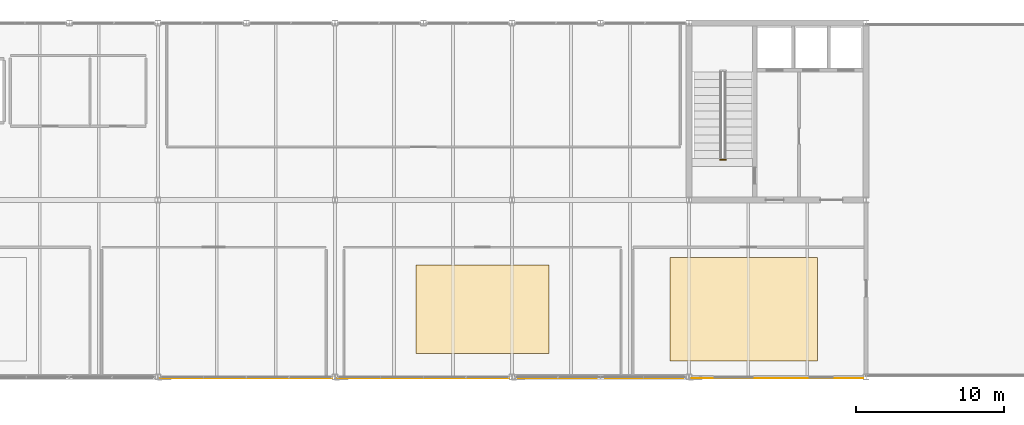
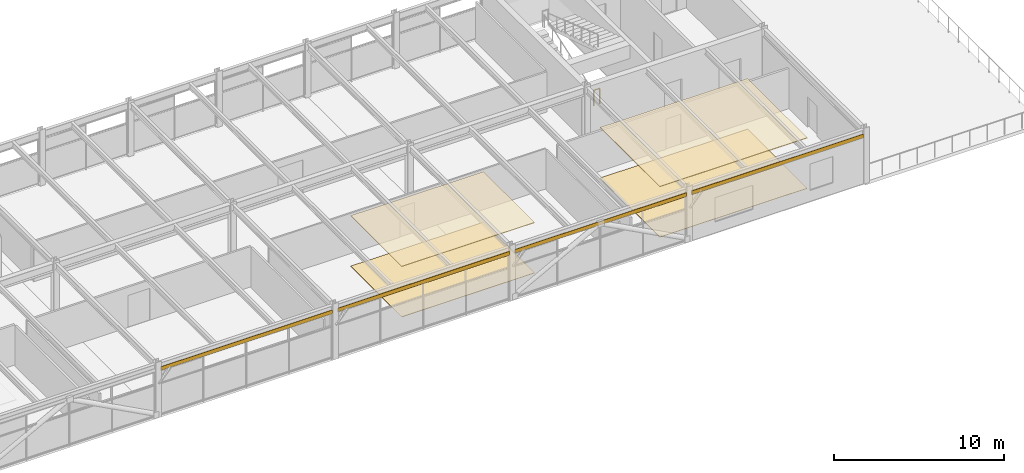
# One storey, part 31 of 32: 4 coverings, 4 shading devices, 1 railing.
"""IFC4 building model written with IfcOpenShell, lengths in metres."""

from ifc_helpers import new_model, si_unit, direction, frame, origin, origin_2d, place, context, subcontext, project, spatial, rectangle, circle, extrude, material, layer, layer_set, type_object, element, save


model = new_model("IFC4")

# Units and contexts
model_context = context("Model", 3, precision=1e-05, world=origin(), true_north=direction((0.0, 1.0)))
body_context = subcontext(model_context, "Body", "Model", "MODEL_VIEW")
ifc_project = project(units=[si_unit("LENGTHUNIT", "METRE"), si_unit("AREAUNIT", "SQUARE_METRE"), si_unit("VOLUMEUNIT", "CUBIC_METRE"), si_unit("PLANEANGLEUNIT", "RADIAN"), si_unit("MASSUNIT", "GRAM", prefix="KILO")], contexts=[model_context])

# Site, building, storey
site_placement = place(None, origin())
site = spatial("IfcSite", under=ifc_project, at=site_placement, CompositionType="ELEMENT")
building_placement = place(site_placement, origin())
building = spatial("IfcBuilding", under=site, at=building_placement, Name="Girod Span Mobility Hub", CompositionType="ELEMENT")
storey_placement = place(building_placement, frame((0.0, 0.0, 61.60009765625)))
storey = spatial("IfcBuildingStorey", under=building, at=storey_placement, Name="L15", CompositionType="ELEMENT", Elevation=61.60009765625)

# Coverings
ifc_material_1 = material(Name="Perforated Mineral-Fibre Acoustic Ceiling Tile", Category="mineral")
ifc_layer_1 = layer(ifc_material_1, 0.050048828125)
ifc_layer_set_1 = layer_set([ifc_layer_1], Name="Perforated Mineral-Fibre Acoustic Ceiling Tile")
covering_type_1 = type_object("IfcCoveringType", Name="COV-CLG-1000X700", PredefinedType="CEILING", material=ifc_layer_set_1)
covering_1_placement = place(storey_placement, frame((111.699951171875, 49.60009765625, 3.60498046875), z_axis=(0.0, 0.0, 1.0), x_axis=(1.0, 0.0, 0.0)))
element("IfcCovering", 1, at=covering_1_placement, inside=storey, type_object=covering_type_1, Name="Office Suite East L15 Acoustic Ceiling", PredefinedType="CEILING", context=body_context, shape_type="SweptSolid", body=[
    extrude(rectangle(XDim=10.0, YDim=7.0, at=origin_2d()), origin(), (0.0, 0.0, 1.0), 0.050048828125),
])
ifc_material_2 = material(Name="Perforated Mineral-Fibre Acoustic Ceiling Tile", Category="mineral")
ifc_layer_2 = layer(ifc_material_2, 0.044921875)
ifc_layer_set_2 = layer_set([ifc_layer_2], Name="Perforated Mineral-Fibre Acoustic Ceiling Tile")
covering_type_2 = type_object("IfcCoveringType", Name="COV-CLG-900X600", PredefinedType="CEILING", material=ifc_layer_set_2)
covering_2_placement = place(storey_placement, frame((94.0, 49.60009765625, 3.60498046875), z_axis=(0.0, 0.0, 1.0), x_axis=(1.0, 0.0, 0.0)))
element("IfcCovering", 2, at=covering_2_placement, inside=storey, type_object=covering_type_2, Name="Planning Studio Crown L15 Acoustic Ceiling", PredefinedType="CEILING", context=body_context, shape_type="SweptSolid", body=[
    extrude(rectangle(XDim=9.0, YDim=6.0, at=origin_2d()), origin(), (0.0, 0.0, 1.0), 0.044921875),
])
ifc_material_3 = material(Name="Epoxy Terrazzo and Raised Access Flooring", Category="polymer")
ifc_layer_3 = layer(ifc_material_3, 0.02490234375)
ifc_layer_set_3 = layer_set([ifc_layer_3], Name="Epoxy Terrazzo and Raised Access Flooring")
covering_type_3 = type_object("IfcCoveringType", Name="COV-FLR-1000X700", PredefinedType="FLOORING", material=ifc_layer_set_3)
covering_3_placement = place(storey_placement, frame((111.699951171875, 49.60009765625, 0.0), z_axis=(0.0, 0.0, 1.0), x_axis=(1.0, 0.0, 0.0)))
element("IfcCovering", 3, at=covering_3_placement, inside=storey, type_object=covering_type_3, Name="Office Suite East L15 Floor Finish", PredefinedType="FLOORING", context=body_context, shape_type="SweptSolid", body=[
    extrude(rectangle(XDim=10.0, YDim=7.0, at=origin_2d()), origin(), (0.0, 0.0, 1.0), 0.02490234375),
])
ifc_material_4 = material(Name="Epoxy Terrazzo and Raised Access Flooring", Category="polymer")
ifc_layer_4 = layer(ifc_material_4, 0.030029296875)
ifc_layer_set_4 = layer_set([ifc_layer_4], Name="Epoxy Terrazzo and Raised Access Flooring")
covering_type_4 = type_object("IfcCoveringType", Name="COV-FLR-900X600", PredefinedType="FLOORING", material=ifc_layer_set_4)
covering_4_placement = place(storey_placement, frame((94.0, 49.60009765625, 0.0), z_axis=(0.0, 0.0, 1.0), x_axis=(1.0, 0.0, 0.0)))
element("IfcCovering", 4, at=covering_4_placement, inside=storey, type_object=covering_type_4, Name="Planning Studio Crown L15 Floor Finish", PredefinedType="FLOORING", context=body_context, shape_type="SweptSolid", body=[
    extrude(rectangle(XDim=9.0, YDim=6.0, at=origin_2d()), origin(), (0.0, 0.0, 1.0), 0.030029296875),
])

# Railing
ifc_material_5 = material(Name="Painted Galvanised Steel", Category="steel")
ifc_layer_5 = layer(ifc_material_5, 0.06494140625)
ifc_layer_set_5 = layer_set([ifc_layer_5], Name="Painted Galvanised Steel")
railing_type = type_object("IfcRailingType", Name="RL-GRD-1120", PredefinedType="GUARDRAIL", material=ifc_layer_set_5)
railing_placement = place(storey_placement, frame((110.10009765625, 59.72998046875, 0.0)))
element("IfcRailing", 5, at=railing_placement, inside=storey, type_object=railing_type, Name="Stair ST-2 Landing Well Guard L15", PredefinedType="GUARDRAIL", context=body_context, shape_type="SweptSolid", body=[
    extrude(circle(Radius=0.02392578125, at=origin_2d()), frame((0.0, 0.0, 1.09619140625), z_axis=(1.0, 0.0, 0.0), x_axis=(0.0, 1.0, 0.0)), (0.0, 0.0, 1.0), 0.39990234375),
    extrude(circle(Radius=0.02099609375, at=origin_2d()), origin(), (0.0, 0.0, 1.0), 1.072021484375),
    extrude(circle(Radius=0.02099609375, at=origin_2d()), frame((0.39990234375, 0.0, 0.0)), (0.0, 0.0, 1.0), 1.072021484375),
])

# Shading devices
ifc_material_6 = material(Name="Aluminium 6063-T6", Category="aluminium")
ifc_layer_6 = layer(ifc_material_6, 0.030029296875)
ifc_layer_set_6 = layer_set([ifc_layer_6], Name="Aluminium 6063-T6")
shading_device_type = type_object("IfcShadingDeviceType", Name="SHD-SHT-11635X260X30", PredefinedType="SHUTTER", material=ifc_layer_set_6)
for number, where, z_axis, x_axis, name in (
    (6, (78.0, 44.919921875, 3.27587890625), (0.0, 0.0, 1.0), (1.0, 0.0, 0.0), "External Solar Shading Blade 7 L15"),
    (7, (90.0, 44.919921875, 3.27587890625), (0.0, 0.0, 1.0), (1.0, 0.0, 0.0), "External Solar Shading Blade 8 L15"),
    (8, (102.0, 44.919921875, 3.27587890625), (0.0, 0.0, 1.0), (1.0, 0.0, 0.0), "External Solar Shading Blade 9 L15"),
    (9, (114.0, 44.919921875, 3.27587890625), (0.0, 0.0, 1.0), (1.0, 0.0, 0.0), "External Solar Shading Blade 10 L15"),
):
    element("IfcShadingDevice", number, at=place(storey_placement, frame(where, z_axis=z_axis, x_axis=x_axis)), inside=storey, type_object=shading_device_type, Name=name, PredefinedType="SHUTTER", context=body_context, shape_type="SweptSolid", body=[
        extrude(rectangle(XDim=11.635009765625, YDim=0.030029296875, at=origin_2d()), origin(), (0.0, 0.0, 1.0), 0.260009765625),
    ])

save(model, "model.ifc")
